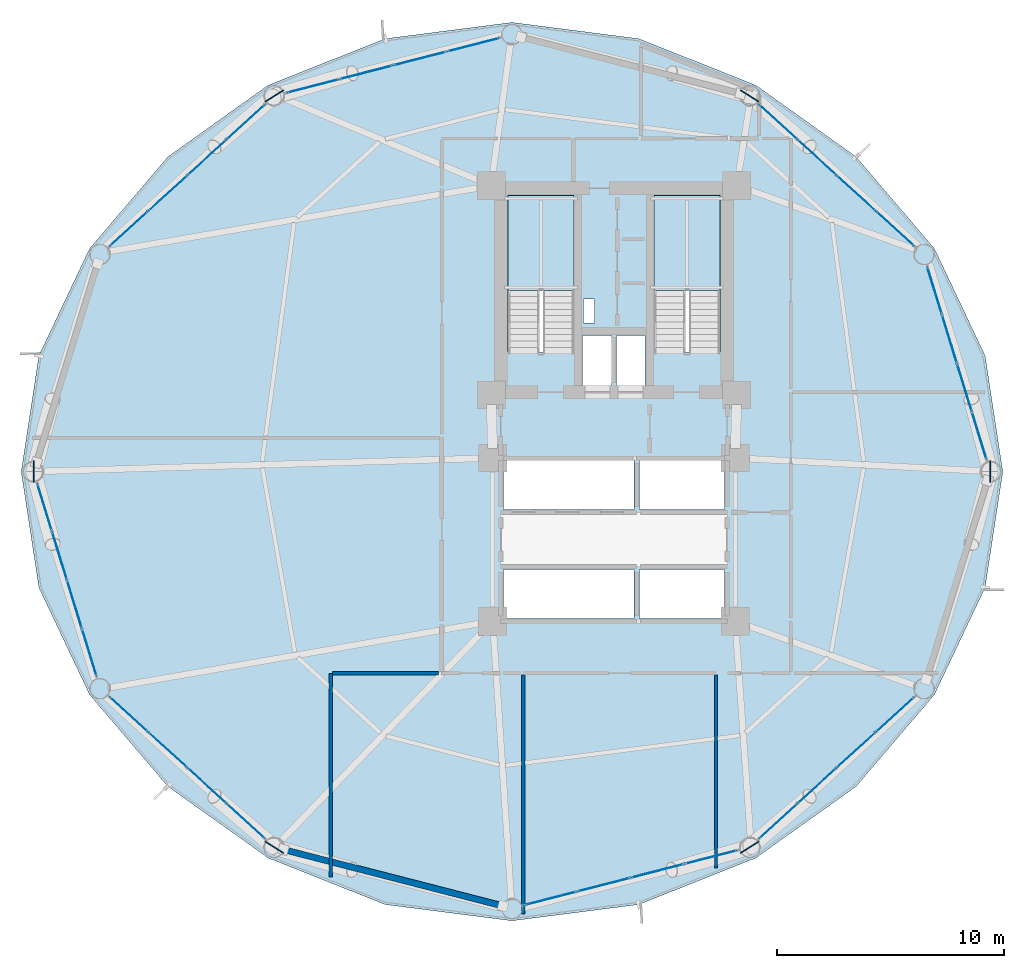
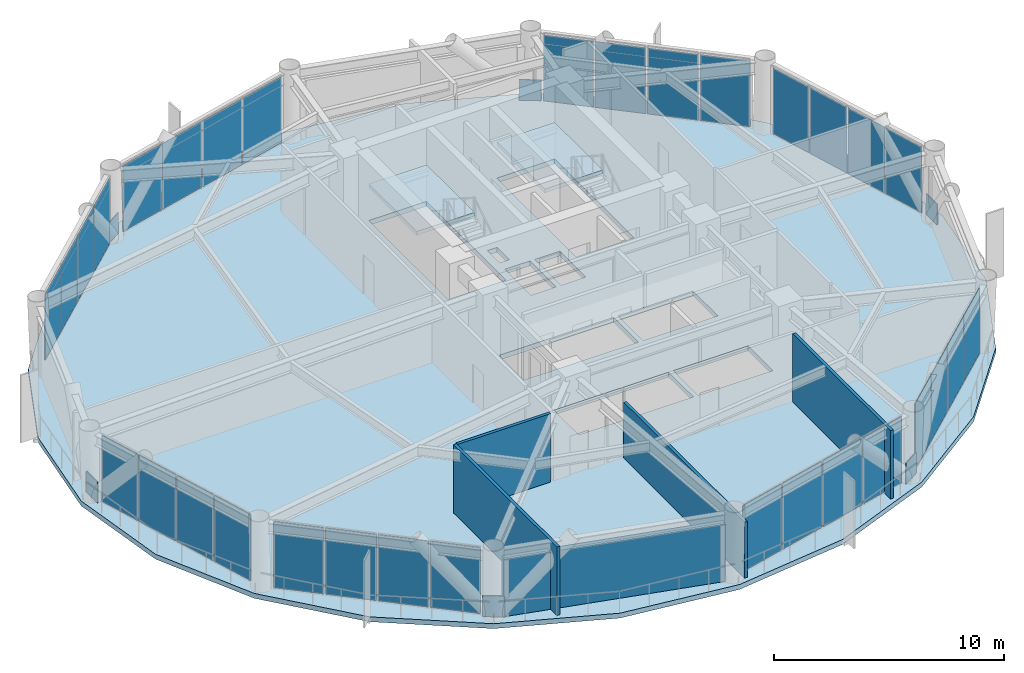
# One storey, part 20 of 26: 38 plates, 5 walls, 3 slabs, 10 elements without a shape of their own.
"""IFC4 building model written with IfcOpenShell, lengths in metres."""

from ifc_helpers import new_model, si_unit, direction, frame, frame_2d, origin, origin_2d, place, context, subcontext, project, spatial, polyline, rectangle, outline, extrude, source, transform, mapped, material, layer, layer_set, type_object, type_shapes, element, aggregate, save


model = new_model("IFC4")

# Units and contexts
model_context = context("Model", 3, precision=1e-05, world=origin(), true_north=direction((0.0, 1.0)))
body_context = subcontext(model_context, "Body", "Model", "MODEL_VIEW")
ifc_project = project(units=[si_unit("LENGTHUNIT", "METRE"), si_unit("AREAUNIT", "SQUARE_METRE"), si_unit("VOLUMEUNIT", "CUBIC_METRE"), si_unit("PLANEANGLEUNIT", "RADIAN"), si_unit("MASSUNIT", "GRAM", prefix="KILO")], contexts=[model_context])

# Site, building, storey
site_placement = place(None, origin())
site = spatial("IfcSite", under=ifc_project, at=site_placement, CompositionType="ELEMENT")
building_placement = place(site_placement, origin())
building = spatial("IfcBuilding", under=site, at=building_placement, Name="Varnakorn Sky Granary", CompositionType="ELEMENT")
storey_placement = place(building_placement, frame((0.0, 0.0, 51.0)))
storey = spatial("IfcBuildingStorey", under=building, at=storey_placement, Name="L12", CompositionType="ELEMENT", Elevation=51.0)

# Plates
ifc_material_1 = material(Name="Steel S460M", Category="steel")
ifc_layer_1 = layer(ifc_material_1, 0.044921875, Name="Steel S460M")
ifc_layer_set_1 = layer_set([ifc_layer_1], Name="Steel S460M")
plate_type_1 = type_object("IfcPlateType", Name="PL-NODE-KN1", PredefinedType="SHEET", material=ifc_layer_set_1)
for number, where, z_axis, x_axis, name in (
    (1, (19.60791015625, 0.0, 0.0), (0.0, 0.0, 1.0), (0.0, 1.0, 0.0), "Diagrid Node Gusset Assembly KN1 L12-1"),
    (2, (8.986572265625, 16.573974609375, 0.0), (0.0, 0.0, 1.0), (-0.845057914371, 0.534674780926, 0.0), "Diagrid Node Gusset Assembly KN1 L12-3"),
    (3, (-11.986572265625, 16.573974609375, 0.0), (0.0, 0.0, 1.0), (-0.845057914371, -0.534674780926, 0.0), "Diagrid Node Gusset Assembly KN1 L12-5"),
    (4, (-22.60791015625, 0.0, 0.0), (0.0, 0.0, 1.0), (0.0, -1.0, 0.0), "Diagrid Node Gusset Assembly KN1 L12-7"),
    (5, (-11.986572265625, -16.573974609375, 0.0), (0.0, 0.0, 1.0), (0.845057914371, -0.534674780926, 0.0), "Diagrid Node Gusset Assembly KN1 L12-9"),
    (6, (8.986572265625, -16.573974609375, 0.0), (0.0, 0.0, 1.0), (0.845057914371, 0.534674780926, 0.0), "Diagrid Node Gusset Assembly KN1 L12-11"),
):
    element("IfcPlate", number, at=place(storey_placement, frame(where, z_axis=z_axis, x_axis=x_axis)), inside=storey, type_object=plate_type_1, Name=name, PredefinedType="SHEET", context=body_context, shape_type="SweptSolid", body=[
        extrude(rectangle(XDim=0.9599609375, YDim=0.044921875, at=origin_2d()), origin(), (0.0, 0.0, 1.0), 1.10009765625),
    ])

# Stair, slab
ifc_material_2 = material(Name="Concrete C40/50", Category="concrete")
stair_type = type_object("IfcStairType", Name="ST-MAIN-ASSEMBLY", PredefinedType="HALF_TURN_STAIR", material=ifc_material_2)
stair_1_placement = place(storey_placement, origin())
stair_1 = element("IfcStair", 7, at=stair_1_placement, inside=storey, type_object=stair_type, Name="L12 Protected Exit Stair ST-1", PredefinedType="HALF_TURN_STAIR")
ifc_layer_2 = layer(ifc_material_2, 0.199951171875, Name="Concrete C40/50")
ifc_layer_set_2 = layer_set([ifc_layer_2], Name="Concrete C40/50")
slab_type_1 = type_object("IfcSlabType", Name="ST-MAIN-LAND", PredefinedType="LANDING", material=ifc_layer_set_2)
slab_1_placement = place(storey_placement, frame((0.0, 0.0, 1.75)))
slab_1 = element("IfcSlab", 8, at=slab_1_placement, type_object=slab_type_1, Name="ST-1 landing 1", PredefinedType="LANDING", context=body_context, shape_type="SweptSolid", body=[
    extrude(outline(polyline([(1.239990234375, 8.0), (1.239990234375, 12.179931640625), (-1.669921875, 12.179931640625), (-1.669921875, 8.0), (1.239990234375, 8.0)])), origin(), (0.0, 0.0, 1.0), 0.199951171875),
])
aggregate(stair_1, [slab_1])

stair_2_placement = place(storey_placement, origin())
stair_2 = element("IfcStair", 9, at=stair_2_placement, inside=storey, type_object=stair_type, Name="L12 Protected Exit Stair ST-2", PredefinedType="HALF_TURN_STAIR")
slab_2_placement = place(storey_placement, frame((0.0, 0.0, 1.75)))
slab_2 = element("IfcSlab", 10, at=slab_2_placement, type_object=slab_type_1, Name="ST-2 landing 1", PredefinedType="LANDING", context=body_context, shape_type="SweptSolid", body=[
    extrude(outline(polyline([(7.679931640625, 8.0), (7.679931640625, 12.179931640625), (4.77001953125, 12.179931640625), (4.77001953125, 8.0), (7.679931640625, 8.0)])), origin(), (0.0, 0.0, 1.0), 0.199951171875),
])
aggregate(stair_2, [slab_2])

# Slab
ifc_material_3 = material(Name="Concrete C50/60", Category="concrete")
ifc_layer_3 = layer(ifc_material_3, 0.260009765625, Name="Concrete C50/60")
ifc_layer_set_3 = layer_set([ifc_layer_3], Name="Concrete C50/60")
slab_type_2 = type_object("IfcSlabType", Name="ST-SL-TWR-260", PredefinedType="FLOOR", material=ifc_layer_set_3)
slab_3_placement = place(storey_placement, frame((0.0, 0.0, -0.260009765625)))
element("IfcSlab", 11, at=slab_3_placement, inside=storey, type_object=slab_type_2, Name="Level L12 Structural Floor Slab", PredefinedType="FLOOR", context=body_context, shape_type="SweptSolid", body=[
    extrude(outline(polyline([(20.157958984375, 0.0), (19.376708984375, 5.118896484375), (17.139404296875, 9.843994140625), (13.687255859375, 13.8896484375), (9.261474609375, 17.05029296875), (4.093994140625, 19.10400390625), (-1.5, 19.822998046875), (-7.093994140625, 19.10400390625), (-12.261474609375, 17.05029296875), (-16.687255859375, 13.8896484375), (-20.139404296875, 9.843994140625), (-22.376708984375, 5.118896484375), (-23.157958984375, 0.0), (-22.376708984375, -5.118896484375), (-20.139404296875, -9.843994140625), (-16.687255859375, -13.8896484375), (-12.261474609375, -17.05029296875), (-7.093994140625, -19.10400390625), (-1.5, -19.822998046875), (4.093994140625, -19.10400390625), (9.261474609375, -17.05029296875), (13.687255859375, -13.8896484375), (17.139404296875, -9.843994140625), (19.376708984375, -5.118896484375), (20.157958984375, 0.0)]), holes=[polyline([(1.239990234375, 5.27490234375), (1.239990234375, 12.179931640625), (-1.669921875, 12.179931640625), (-1.669921875, 5.27490234375), (1.239990234375, 5.27490234375)]), polyline([(7.679931640625, 5.27490234375), (7.679931640625, 12.179931640625), (4.77001953125, 12.179931640625), (4.77001953125, 5.27490234375), (7.679931640625, 5.27490234375)]), polyline([(1.659912109375, 6.550048828125), (2.14990234375, 6.550048828125), (2.14990234375, 7.6201171875), (1.659912109375, 7.6201171875), (1.659912109375, 6.550048828125)]), polyline([(1.6201171875, 3.739990234375), (2.8798828125, 3.739990234375), (2.8798828125, 6.010009765625), (1.6201171875, 6.010009765625), (1.6201171875, 3.739990234375)]), polyline([(3.1201171875, 3.739990234375), (4.3798828125, 3.739990234375), (4.3798828125, 6.010009765625), (3.1201171875, 6.010009765625), (3.1201171875, 3.739990234375)]), polyline([(-1.8798828125, -1.679931640625), (3.8798828125, -1.679931640625), (3.8798828125, 0.47998046875), (-1.8798828125, 0.47998046875), (-1.8798828125, -1.679931640625)]), polyline([(4.1201171875, -1.679931640625), (7.8798828125, -1.679931640625), (7.8798828125, 0.47998046875), (4.1201171875, 0.47998046875), (4.1201171875, -1.679931640625)]), polyline([(-1.8798828125, -6.47998046875), (3.8798828125, -6.47998046875), (3.8798828125, -4.320068359375), (-1.8798828125, -4.320068359375), (-1.8798828125, -6.47998046875)]), polyline([(4.1201171875, -6.47998046875), (7.8798828125, -6.47998046875), (7.8798828125, -4.320068359375), (4.1201171875, -4.320068359375), (4.1201171875, -6.47998046875)])]), origin(), (0.0, 0.0, 1.0), 0.260009765625),
])

# Curtain wall, plates
ifc_material_4 = material(Name="Anodised Bronze Aluminium Alloy 6063-T6", Category="aluminium")
ifc_layer_4 = layer(ifc_material_4, 0.18994140625, Name="Anodised Bronze Aluminium Alloy 6063-T6")
ifc_layer_set_4 = layer_set([ifc_layer_4], Name="Anodised Bronze Aluminium Alloy 6063-T6")
curtain_wall_type = type_object("IfcCurtainWallType", Name="CW-FRM-1", PredefinedType="USERDEFINED", material=ifc_layer_set_4)
curtain_wall_1_placement = place(storey_placement, origin())
curtain_wall_1 = element("IfcCurtainWall", 12, at=curtain_wall_1_placement, inside=storey, type_object=curtain_wall_type, Name="Unitised Curtain Wall CW3 CW-L12-B01", ObjectType="CURTAIN WALL", PredefinedType="USERDEFINED")
ifc_material_5 = material(Name="Low-E Tinted Laminated Glass", Category="glass")
ifc_layer_5 = layer(ifc_material_5, 0.028076171875, Name="Low-E Tinted Laminated Glass")
ifc_layer_set_5 = layer_set([ifc_layer_5], Name="Low-E Tinted Laminated Glass")
plate_type_2 = type_object("IfcPlateType", Name="CW-FRM-1-PNL", PredefinedType="CURTAIN_PANEL")
shared_shape_1 = source(origin(), body_context, "Body", "SweptSolid", [
    extrude(rectangle(XDim=2.139404296875, YDim=0.028076171875, at=origin_2d()), origin(), (0.0, 0.0, 1.0), 3.5),
])
plate_1_placement = place(storey_placement, frame((17.150634765625, 7.985595703125, 0.070068359375), z_axis=(0.0, 0.0, 1.0), x_axis=(0.294121852906, -0.955767929805, 0.0)))
plate_1 = element("IfcPlate", 13, at=plate_1_placement, type_object=plate_type_2, material=ifc_layer_set_5, Name="CW3 vision glazing unit 1.1", PredefinedType="CURTAIN_PANEL", context=body_context, shape_type="MappedRepresentation", body=[
    mapped(shared_shape_1, transform((0.0, 0.0, 0.0), x_axis=(1.0, 0.0, 0.0), y_axis=(0.0, 1.0, 0.0), z_axis=(0.0, 0.0, 1.0), scale=1.0)),
])
ifc_material_6 = material(Name="Opaque Insulated Aluminium Shadow-Box Unit", Category="aluminium")
ifc_layer_6 = layer(ifc_material_6, 0.028076171875, Name="Opaque Insulated Aluminium Shadow-Box Unit")
ifc_layer_set_6 = layer_set([ifc_layer_6], Name="Opaque Insulated Aluminium Shadow-Box Unit")
plate_2_placement = place(storey_placement, frame((19.12060546875, 1.58349609375, 0.070068359375), z_axis=(0.0, 0.0, 1.0), x_axis=(0.294121852906, -0.955767929805, 0.0)))
plate_2 = element("IfcPlate", 14, at=plate_2_placement, type_object=plate_type_2, material=ifc_layer_set_6, Name="CW3 opaque insulated shadow-box unit 4.1", PredefinedType="CURTAIN_PANEL", context=body_context, shape_type="MappedRepresentation", body=[
    mapped(shared_shape_1, transform((0.0, 0.0, 0.0), x_axis=(1.0, 0.0, 0.0), y_axis=(0.0, 1.0, 0.0), z_axis=(0.0, 0.0, 1.0), scale=1.0)),
])

curtain_wall_2_placement = place(storey_placement, origin())
curtain_wall_2 = element("IfcCurtainWall", 15, at=curtain_wall_2_placement, inside=storey, type_object=curtain_wall_type, Name="Unitised Curtain Wall CW3 CW-L12-B07", ObjectType="CURTAIN WALL", PredefinedType="USERDEFINED")
plate_3_placement = place(storey_placement, frame((-20.150634765625, -7.985595703125, 0.070068359375), z_axis=(0.0, 0.0, 1.0), x_axis=(-0.294121852906, 0.955767929805, 0.0)))
plate_3 = element("IfcPlate", 16, at=plate_3_placement, type_object=plate_type_2, material=ifc_layer_set_5, Name="CW3 vision glazing unit 1.1", PredefinedType="CURTAIN_PANEL", context=body_context, shape_type="MappedRepresentation", body=[
    mapped(shared_shape_1, transform((0.0, 0.0, 0.0), x_axis=(1.0, 0.0, 0.0), y_axis=(0.0, 1.0, 0.0), z_axis=(0.0, 0.0, 1.0), scale=1.0)),
])
plate_4_placement = place(storey_placement, frame((-22.12060546875, -1.58349609375, 0.070068359375), z_axis=(0.0, 0.0, 1.0), x_axis=(-0.294121852906, 0.955767929805, 0.0)))
plate_4 = element("IfcPlate", 17, at=plate_4_placement, type_object=plate_type_2, material=ifc_layer_set_6, Name="CW3 opaque insulated shadow-box unit 4.1", PredefinedType="CURTAIN_PANEL", context=body_context, shape_type="MappedRepresentation", body=[
    mapped(shared_shape_1, transform((0.0, 0.0, 0.0), x_axis=(1.0, 0.0, 0.0), y_axis=(0.0, 1.0, 0.0), z_axis=(0.0, 0.0, 1.0), scale=1.0)),
])

# Plate
shared_shape_2 = source(origin(), body_context, "Body", "SweptSolid", [
    extrude(rectangle(XDim=2.174560546875, YDim=0.028076171875, at=origin_2d()), origin(), (0.0, 0.0, 1.0), 3.5),
])
plate_5_placement = place(storey_placement, frame((17.805419921875, 5.857177734375, 0.070068359375), z_axis=(0.0, 0.0, 1.0), x_axis=(0.294121852906, -0.955767929805, 0.0)))
plate_5 = element("IfcPlate", 18, at=plate_5_placement, type_object=plate_type_2, material=ifc_layer_set_5, Name="CW3 vision glazing unit 2.1", PredefinedType="CURTAIN_PANEL", context=body_context, shape_type="MappedRepresentation", body=[
    mapped(shared_shape_2, transform((0.0, 0.0, 0.0), x_axis=(1.0, 0.0, 0.0), y_axis=(0.0, 1.0, 0.0), z_axis=(0.0, 0.0, 1.0), scale=1.0)),
])

plate_6_placement = place(storey_placement, frame((18.465576171875, 3.7119140625, 0.070068359375), z_axis=(0.0, 0.0, 1.0), x_axis=(0.294121852906, -0.955767929805, 0.0)))
plate_6 = element("IfcPlate", 19, at=plate_6_placement, type_object=plate_type_2, material=ifc_layer_set_6, Name="CW3 opaque insulated shadow-box unit 3.1", PredefinedType="CURTAIN_PANEL", context=body_context, shape_type="MappedRepresentation", body=[
    mapped(shared_shape_2, transform((0.0, 0.0, 0.0), x_axis=(1.0, 0.0, 0.0), y_axis=(0.0, 1.0, 0.0), z_axis=(0.0, 0.0, 1.0), scale=1.0)),
])

aggregate(curtain_wall_1, [plate_1, plate_5, plate_6, plate_2])

plate_7_placement = place(storey_placement, frame((-20.805419921875, -5.857177734375, 0.070068359375), z_axis=(0.0, 0.0, 1.0), x_axis=(-0.294121852906, 0.955767929805, 0.0)))
plate_7 = element("IfcPlate", 20, at=plate_7_placement, type_object=plate_type_2, material=ifc_layer_set_5, Name="CW3 vision glazing unit 2.1", PredefinedType="CURTAIN_PANEL", context=body_context, shape_type="MappedRepresentation", body=[
    mapped(shared_shape_2, transform((0.0, 0.0, 0.0), x_axis=(1.0, 0.0, 0.0), y_axis=(0.0, 1.0, 0.0), z_axis=(0.0, 0.0, 1.0), scale=1.0)),
])

plate_8_placement = place(storey_placement, frame((-21.465576171875, -3.7119140625, 0.070068359375), z_axis=(0.0, 0.0, 1.0), x_axis=(-0.294121852906, 0.955767929805, 0.0)))
plate_8 = element("IfcPlate", 21, at=plate_8_placement, type_object=plate_type_2, material=ifc_layer_set_6, Name="CW3 opaque insulated shadow-box unit 3.1", PredefinedType="CURTAIN_PANEL", context=body_context, shape_type="MappedRepresentation", body=[
    mapped(shared_shape_2, transform((0.0, 0.0, 0.0), x_axis=(1.0, 0.0, 0.0), y_axis=(0.0, 1.0, 0.0), z_axis=(0.0, 0.0, 1.0), scale=1.0)),
])

aggregate(curtain_wall_2, [plate_3, plate_7, plate_8, plate_4])

# Curtain wall, plates
curtain_wall_3_placement = place(storey_placement, origin())
curtain_wall_3 = element("IfcCurtainWall", 22, at=curtain_wall_3_placement, inside=storey, type_object=curtain_wall_type, Name="Unitised Curtain Wall CW3 CW-L12-B02", ObjectType="CURTAIN WALL", PredefinedType="USERDEFINED")
shared_shape_3 = source(origin(), body_context, "Body", "SweptSolid", [
    extrude(rectangle(XDim=2.234619140625, YDim=0.028076171875, at=origin_2d()), origin(), (0.0, 0.0, 1.0), 3.5),
])
plate_9_placement = place(storey_placement, frame((10.245361328125, 15.42529296875, 0.070068359375), z_axis=(0.0, 0.0, 1.0), x_axis=(0.73868649404, -0.674049155123, 0.0)))
plate_9 = element("IfcPlate", 23, at=plate_9_placement, type_object=plate_type_2, material=ifc_layer_set_6, Name="CW3 opaque insulated shadow-box unit 1.1", PredefinedType="CURTAIN_PANEL", context=body_context, shape_type="MappedRepresentation", body=[
    mapped(shared_shape_3, transform((0.0, 0.0, 0.0), x_axis=(1.0, 0.0, 0.0), y_axis=(0.0, 1.0, 0.0), z_axis=(0.0, 0.0, 1.0), scale=1.0)),
])
plate_10_placement = place(storey_placement, frame((15.404296875, 10.7177734375, 0.070068359375), z_axis=(0.0, 0.0, 1.0), x_axis=(0.73868649404, -0.674049155123, 0.0)))
plate_10 = element("IfcPlate", 24, at=plate_10_placement, type_object=plate_type_2, material=ifc_layer_set_5, Name="CW3 vision glazing unit 4.1", PredefinedType="CURTAIN_PANEL", context=body_context, shape_type="MappedRepresentation", body=[
    mapped(shared_shape_3, transform((0.0, 0.0, 0.0), x_axis=(1.0, 0.0, 0.0), y_axis=(0.0, 1.0, 0.0), z_axis=(0.0, 0.0, 1.0), scale=1.0)),
])

curtain_wall_4_placement = place(storey_placement, origin())
curtain_wall_4 = element("IfcCurtainWall", 25, at=curtain_wall_4_placement, inside=storey, type_object=curtain_wall_type, Name="Unitised Curtain Wall CW3 CW-L12-B05", ObjectType="CURTAIN WALL", PredefinedType="USERDEFINED")
plate_11_placement = place(storey_placement, frame((-18.404296875, 10.7177734375, 0.070068359375), z_axis=(0.0, 0.0, 1.0), x_axis=(0.73868649404, 0.674049155123, 0.0)))
plate_11 = element("IfcPlate", 26, at=plate_11_placement, type_object=plate_type_2, material=ifc_layer_set_5, Name="CW3 vision glazing unit 1.1", PredefinedType="CURTAIN_PANEL", context=body_context, shape_type="MappedRepresentation", body=[
    mapped(shared_shape_3, transform((0.0, 0.0, 0.0), x_axis=(1.0, 0.0, 0.0), y_axis=(0.0, 1.0, 0.0), z_axis=(0.0, 0.0, 1.0), scale=1.0)),
])
plate_12_placement = place(storey_placement, frame((-13.245361328125, 15.42529296875, 0.070068359375), z_axis=(0.0, 0.0, 1.0), x_axis=(0.73868649404, 0.674049155123, 0.0)))
plate_12 = element("IfcPlate", 27, at=plate_12_placement, type_object=plate_type_2, material=ifc_layer_set_6, Name="CW3 opaque insulated shadow-box unit 4.1", PredefinedType="CURTAIN_PANEL", context=body_context, shape_type="MappedRepresentation", body=[
    mapped(shared_shape_3, transform((0.0, 0.0, 0.0), x_axis=(1.0, 0.0, 0.0), y_axis=(0.0, 1.0, 0.0), z_axis=(0.0, 0.0, 1.0), scale=1.0)),
])

curtain_wall_5_placement = place(storey_placement, origin())
curtain_wall_5 = element("IfcCurtainWall", 28, at=curtain_wall_5_placement, inside=storey, type_object=curtain_wall_type, Name="Unitised Curtain Wall CW3 CW-L12-B08", ObjectType="CURTAIN WALL", PredefinedType="USERDEFINED")
plate_13_placement = place(storey_placement, frame((-13.245361328125, -15.42529296875, 0.070068359375), z_axis=(0.0, 0.0, 1.0), x_axis=(-0.73868649404, 0.674049155123, 0.0)))
plate_13 = element("IfcPlate", 29, at=plate_13_placement, type_object=plate_type_2, material=ifc_layer_set_6, Name="CW3 opaque insulated shadow-box unit 1.1", PredefinedType="CURTAIN_PANEL", context=body_context, shape_type="MappedRepresentation", body=[
    mapped(shared_shape_3, transform((0.0, 0.0, 0.0), x_axis=(1.0, 0.0, 0.0), y_axis=(0.0, 1.0, 0.0), z_axis=(0.0, 0.0, 1.0), scale=1.0)),
])
plate_14_placement = place(storey_placement, frame((-18.404296875, -10.7177734375, 0.070068359375), z_axis=(0.0, 0.0, 1.0), x_axis=(-0.73868649404, 0.674049155123, 0.0)))
plate_14 = element("IfcPlate", 30, at=plate_14_placement, type_object=plate_type_2, material=ifc_layer_set_5, Name="CW3 vision glazing unit 4.1", PredefinedType="CURTAIN_PANEL", context=body_context, shape_type="MappedRepresentation", body=[
    mapped(shared_shape_3, transform((0.0, 0.0, 0.0), x_axis=(1.0, 0.0, 0.0), y_axis=(0.0, 1.0, 0.0), z_axis=(0.0, 0.0, 1.0), scale=1.0)),
])

curtain_wall_6_placement = place(storey_placement, origin())
curtain_wall_6 = element("IfcCurtainWall", 31, at=curtain_wall_6_placement, inside=storey, type_object=curtain_wall_type, Name="Unitised Curtain Wall CW3 CW-L12-B11", ObjectType="CURTAIN WALL", PredefinedType="USERDEFINED")
plate_15_placement = place(storey_placement, frame((15.404296875, -10.7177734375, 0.070068359375), z_axis=(0.0, 0.0, 1.0), x_axis=(-0.73868649404, -0.674049155123, 0.0)))
plate_15 = element("IfcPlate", 32, at=plate_15_placement, type_object=plate_type_2, material=ifc_layer_set_5, Name="CW3 vision glazing unit 1.1", PredefinedType="CURTAIN_PANEL", context=body_context, shape_type="MappedRepresentation", body=[
    mapped(shared_shape_3, transform((0.0, 0.0, 0.0), x_axis=(1.0, 0.0, 0.0), y_axis=(0.0, 1.0, 0.0), z_axis=(0.0, 0.0, 1.0), scale=1.0)),
])
plate_16_placement = place(storey_placement, frame((10.245361328125, -15.42529296875, 0.070068359375), z_axis=(0.0, 0.0, 1.0), x_axis=(-0.73868649404, -0.674049155123, 0.0)))
plate_16 = element("IfcPlate", 33, at=plate_16_placement, type_object=plate_type_2, material=ifc_layer_set_6, Name="CW3 opaque insulated shadow-box unit 4.1", PredefinedType="CURTAIN_PANEL", context=body_context, shape_type="MappedRepresentation", body=[
    mapped(shared_shape_3, transform((0.0, 0.0, 0.0), x_axis=(1.0, 0.0, 0.0), y_axis=(0.0, 1.0, 0.0), z_axis=(0.0, 0.0, 1.0), scale=1.0)),
])

# Plate
shared_shape_4 = source(origin(), body_context, "Body", "SweptSolid", [
    extrude(rectangle(XDim=2.26953125, YDim=0.028076171875, at=origin_2d()), origin(), (0.0, 0.0, 1.0), 3.5),
])
plate_17_placement = place(storey_placement, frame((11.960693359375, 13.860107421875, 0.070068359375), z_axis=(0.0, 0.0, 1.0), x_axis=(0.73868649404, -0.674049155123, 0.0)))
plate_17 = element("IfcPlate", 34, at=plate_17_placement, type_object=plate_type_2, material=ifc_layer_set_6, Name="CW3 opaque insulated shadow-box unit 2.1", PredefinedType="CURTAIN_PANEL", context=body_context, shape_type="MappedRepresentation", body=[
    mapped(shared_shape_4, transform((0.0, 0.0, 0.0), x_axis=(1.0, 0.0, 0.0), y_axis=(0.0, 1.0, 0.0), z_axis=(0.0, 0.0, 1.0), scale=1.0)),
])

plate_18_placement = place(storey_placement, frame((13.68896484375, 12.282958984375, 0.070068359375), z_axis=(0.0, 0.0, 1.0), x_axis=(0.73868649404, -0.674049155123, 0.0)))
plate_18 = element("IfcPlate", 35, at=plate_18_placement, type_object=plate_type_2, material=ifc_layer_set_5, Name="CW3 vision glazing unit 3.1", PredefinedType="CURTAIN_PANEL", context=body_context, shape_type="MappedRepresentation", body=[
    mapped(shared_shape_4, transform((0.0, 0.0, 0.0), x_axis=(1.0, 0.0, 0.0), y_axis=(0.0, 1.0, 0.0), z_axis=(0.0, 0.0, 1.0), scale=1.0)),
])

aggregate(curtain_wall_3, [plate_9, plate_17, plate_18, plate_10])

plate_19_placement = place(storey_placement, frame((-16.68896484375, 12.282958984375, 0.070068359375), z_axis=(0.0, 0.0, 1.0), x_axis=(0.73868649404, 0.674049155123, 0.0)))
plate_19 = element("IfcPlate", 36, at=plate_19_placement, type_object=plate_type_2, material=ifc_layer_set_5, Name="CW3 vision glazing unit 2.1", PredefinedType="CURTAIN_PANEL", context=body_context, shape_type="MappedRepresentation", body=[
    mapped(shared_shape_4, transform((0.0, 0.0, 0.0), x_axis=(1.0, 0.0, 0.0), y_axis=(0.0, 1.0, 0.0), z_axis=(0.0, 0.0, 1.0), scale=1.0)),
])

plate_20_placement = place(storey_placement, frame((-14.960693359375, 13.860107421875, 0.070068359375), z_axis=(0.0, 0.0, 1.0), x_axis=(0.73868649404, 0.674049155123, 0.0)))
plate_20 = element("IfcPlate", 37, at=plate_20_placement, type_object=plate_type_2, material=ifc_layer_set_6, Name="CW3 opaque insulated shadow-box unit 3.1", PredefinedType="CURTAIN_PANEL", context=body_context, shape_type="MappedRepresentation", body=[
    mapped(shared_shape_4, transform((0.0, 0.0, 0.0), x_axis=(1.0, 0.0, 0.0), y_axis=(0.0, 1.0, 0.0), z_axis=(0.0, 0.0, 1.0), scale=1.0)),
])

aggregate(curtain_wall_4, [plate_11, plate_19, plate_20, plate_12])

plate_21_placement = place(storey_placement, frame((-14.960693359375, -13.860107421875, 0.070068359375), z_axis=(0.0, 0.0, 1.0), x_axis=(-0.73868649404, 0.674049155123, 0.0)))
plate_21 = element("IfcPlate", 38, at=plate_21_placement, type_object=plate_type_2, material=ifc_layer_set_6, Name="CW3 opaque insulated shadow-box unit 2.1", PredefinedType="CURTAIN_PANEL", context=body_context, shape_type="MappedRepresentation", body=[
    mapped(shared_shape_4, transform((0.0, 0.0, 0.0), x_axis=(1.0, 0.0, 0.0), y_axis=(0.0, 1.0, 0.0), z_axis=(0.0, 0.0, 1.0), scale=1.0)),
])

plate_22_placement = place(storey_placement, frame((-16.68896484375, -12.282958984375, 0.070068359375), z_axis=(0.0, 0.0, 1.0), x_axis=(-0.73868649404, 0.674049155123, 0.0)))
plate_22 = element("IfcPlate", 39, at=plate_22_placement, type_object=plate_type_2, material=ifc_layer_set_5, Name="CW3 vision glazing unit 3.1", PredefinedType="CURTAIN_PANEL", context=body_context, shape_type="MappedRepresentation", body=[
    mapped(shared_shape_4, transform((0.0, 0.0, 0.0), x_axis=(1.0, 0.0, 0.0), y_axis=(0.0, 1.0, 0.0), z_axis=(0.0, 0.0, 1.0), scale=1.0)),
])

aggregate(curtain_wall_5, [plate_13, plate_21, plate_22, plate_14])

plate_23_placement = place(storey_placement, frame((13.68896484375, -12.282958984375, 0.070068359375), z_axis=(0.0, 0.0, 1.0), x_axis=(-0.73868649404, -0.674049155123, 0.0)))
plate_23 = element("IfcPlate", 40, at=plate_23_placement, type_object=plate_type_2, material=ifc_layer_set_5, Name="CW3 vision glazing unit 2.1", PredefinedType="CURTAIN_PANEL", context=body_context, shape_type="MappedRepresentation", body=[
    mapped(shared_shape_4, transform((0.0, 0.0, 0.0), x_axis=(1.0, 0.0, 0.0), y_axis=(0.0, 1.0, 0.0), z_axis=(0.0, 0.0, 1.0), scale=1.0)),
])

plate_24_placement = place(storey_placement, frame((11.960693359375, -13.860107421875, 0.070068359375), z_axis=(0.0, 0.0, 1.0), x_axis=(-0.73868649404, -0.674049155123, 0.0)))
plate_24 = element("IfcPlate", 41, at=plate_24_placement, type_object=plate_type_2, material=ifc_layer_set_6, Name="CW3 opaque insulated shadow-box unit 3.1", PredefinedType="CURTAIN_PANEL", context=body_context, shape_type="MappedRepresentation", body=[
    mapped(shared_shape_4, transform((0.0, 0.0, 0.0), x_axis=(1.0, 0.0, 0.0), y_axis=(0.0, 1.0, 0.0), z_axis=(0.0, 0.0, 1.0), scale=1.0)),
])

aggregate(curtain_wall_6, [plate_15, plate_23, plate_24, plate_16])

# Curtain wall, plates
curtain_wall_7_placement = place(storey_placement, origin())
curtain_wall_7 = element("IfcCurtainWall", 42, at=curtain_wall_7_placement, inside=storey, type_object=curtain_wall_type, Name="Unitised Curtain Wall CW3 CW-L12-B04", ObjectType="CURTAIN WALL", PredefinedType="USERDEFINED")
shared_shape_5 = source(origin(), body_context, "Body", "SweptSolid", [
    extrude(rectangle(XDim=2.343505859375, YDim=0.028076171875, at=origin_2d()), origin(), (0.0, 0.0, 1.0), 3.5),
])
plate_25_placement = place(storey_placement, frame((-10.283203125, 17.012451171875, 0.070068359375), z_axis=(0.0, 0.0, 1.0), x_axis=(0.968439365755, 0.2492492625, 0.0)))
plate_25 = element("IfcPlate", 43, at=plate_25_placement, type_object=plate_type_2, material=ifc_layer_set_6, Name="CW3 opaque insulated shadow-box unit 1.1", PredefinedType="CURTAIN_PANEL", context=body_context, shape_type="MappedRepresentation", body=[
    mapped(shared_shape_5, transform((0.0, 0.0, 0.0), x_axis=(1.0, 0.0, 0.0), y_axis=(0.0, 1.0, 0.0), z_axis=(0.0, 0.0, 1.0), scale=1.0)),
])
plate_26_placement = place(storey_placement, frame((-3.203369140625, 18.83447265625, 0.070068359375), z_axis=(0.0, 0.0, 1.0), x_axis=(0.968439365755, 0.2492492625, 0.0)))
plate_26 = element("IfcPlate", 44, at=plate_26_placement, type_object=plate_type_2, material=ifc_layer_set_5, Name="CW3 vision glazing unit 4.1", PredefinedType="CURTAIN_PANEL", context=body_context, shape_type="MappedRepresentation", body=[
    mapped(shared_shape_5, transform((0.0, 0.0, 0.0), x_axis=(1.0, 0.0, 0.0), y_axis=(0.0, 1.0, 0.0), z_axis=(0.0, 0.0, 1.0), scale=1.0)),
])

curtain_wall_8_placement = place(storey_placement, origin())
curtain_wall_8 = element("IfcCurtainWall", 45, at=curtain_wall_8_placement, inside=storey, type_object=curtain_wall_type, Name="Unitised Curtain Wall CW3 CW-L12-B10", ObjectType="CURTAIN WALL", PredefinedType="USERDEFINED")
plate_27_placement = place(storey_placement, frame((7.283203125, -17.012451171875, 0.070068359375), z_axis=(0.0, 0.0, 1.0), x_axis=(-0.968439365755, -0.2492492625, 0.0)))
plate_27 = element("IfcPlate", 46, at=plate_27_placement, type_object=plate_type_2, material=ifc_layer_set_6, Name="CW3 opaque insulated shadow-box unit 1.1", PredefinedType="CURTAIN_PANEL", context=body_context, shape_type="MappedRepresentation", body=[
    mapped(shared_shape_5, transform((0.0, 0.0, 0.0), x_axis=(1.0, 0.0, 0.0), y_axis=(0.0, 1.0, 0.0), z_axis=(0.0, 0.0, 1.0), scale=1.0)),
])
plate_28_placement = place(storey_placement, frame((0.203369140625, -18.83447265625, 0.070068359375), z_axis=(0.0, 0.0, 1.0), x_axis=(-0.968439365755, -0.2492492625, 0.0)))
plate_28 = element("IfcPlate", 47, at=plate_28_placement, type_object=plate_type_2, material=ifc_layer_set_5, Name="CW3 vision glazing unit 4.1", PredefinedType="CURTAIN_PANEL", context=body_context, shape_type="MappedRepresentation", body=[
    mapped(shared_shape_5, transform((0.0, 0.0, 0.0), x_axis=(1.0, 0.0, 0.0), y_axis=(0.0, 1.0, 0.0), z_axis=(0.0, 0.0, 1.0), scale=1.0)),
])

# Plate
shared_shape_6 = source(origin(), body_context, "Body", "SweptSolid", [
    extrude(rectangle(XDim=2.378662109375, YDim=0.028076171875, at=origin_2d()), origin(), (0.0, 0.0, 1.0), 3.5),
])
type_shapes(plate_type_2, [shared_shape_1, shared_shape_2, shared_shape_3, shared_shape_4, shared_shape_5, shared_shape_6])
plate_29_placement = place(storey_placement, frame((-7.928955078125, 17.618408203125, 0.070068359375), z_axis=(0.0, 0.0, 1.0), x_axis=(0.968439365755, 0.2492492625, 0.0)))
plate_29 = element("IfcPlate", 48, at=plate_29_placement, type_object=plate_type_2, material=ifc_layer_set_6, Name="CW3 opaque insulated shadow-box unit 2.1", PredefinedType="CURTAIN_PANEL", context=body_context, shape_type="MappedRepresentation", body=[
    mapped(shared_shape_6, transform((0.0, 0.0, 0.0), x_axis=(1.0, 0.0, 0.0), y_axis=(0.0, 1.0, 0.0), z_axis=(0.0, 0.0, 1.0), scale=1.0)),
])

plate_30_placement = place(storey_placement, frame((-5.5576171875, 18.228759765625, 0.070068359375), z_axis=(0.0, 0.0, 1.0), x_axis=(0.968439365755, 0.2492492625, 0.0)))
plate_30 = element("IfcPlate", 49, at=plate_30_placement, type_object=plate_type_2, material=ifc_layer_set_5, Name="CW3 vision glazing unit 3.1", PredefinedType="CURTAIN_PANEL", context=body_context, shape_type="MappedRepresentation", body=[
    mapped(shared_shape_6, transform((0.0, 0.0, 0.0), x_axis=(1.0, 0.0, 0.0), y_axis=(0.0, 1.0, 0.0), z_axis=(0.0, 0.0, 1.0), scale=1.0)),
])

aggregate(curtain_wall_7, [plate_25, plate_29, plate_30, plate_26])

plate_31_placement = place(storey_placement, frame((4.928955078125, -17.618408203125, 0.070068359375), z_axis=(0.0, 0.0, 1.0), x_axis=(-0.968439365755, -0.2492492625, 0.0)))
plate_31 = element("IfcPlate", 50, at=plate_31_placement, type_object=plate_type_2, material=ifc_layer_set_6, Name="CW3 opaque insulated shadow-box unit 2.1", PredefinedType="CURTAIN_PANEL", context=body_context, shape_type="MappedRepresentation", body=[
    mapped(shared_shape_6, transform((0.0, 0.0, 0.0), x_axis=(1.0, 0.0, 0.0), y_axis=(0.0, 1.0, 0.0), z_axis=(0.0, 0.0, 1.0), scale=1.0)),
])

plate_32_placement = place(storey_placement, frame((2.5576171875, -18.228759765625, 0.070068359375), z_axis=(0.0, 0.0, 1.0), x_axis=(-0.968439365755, -0.2492492625, 0.0)))
plate_32 = element("IfcPlate", 51, at=plate_32_placement, type_object=plate_type_2, material=ifc_layer_set_5, Name="CW3 vision glazing unit 3.1", PredefinedType="CURTAIN_PANEL", context=body_context, shape_type="MappedRepresentation", body=[
    mapped(shared_shape_6, transform((0.0, 0.0, 0.0), x_axis=(1.0, 0.0, 0.0), y_axis=(0.0, 1.0, 0.0), z_axis=(0.0, 0.0, 1.0), scale=1.0)),
])

aggregate(curtain_wall_8, [plate_27, plate_31, plate_32, plate_28])

# Walls
ifc_material_7 = material(Name="Precast concrete C40/50", Category="concrete")
ifc_layer_7 = layer(ifc_material_7, 0.280029296875, Name="Precast concrete C40/50")
ifc_layer_set_7 = layer_set([ifc_layer_7], Name="Precast concrete C40/50")
wall_type_1 = type_object("IfcWallType", Name="WT-EW-CRN-280", PredefinedType="SOLIDWALL", material=ifc_layer_set_7)
wall_1_placement = place(storey_placement, frame((-1.89892578125, -19.17041015625, 0.0), z_axis=(0.0, 0.0, 1.0), x_axis=(-0.968436738327, 0.249259470952, 0.0)))
element("IfcWall", 52, at=wall_1_placement, inside=storey, type_object=wall_type_1, Name="Agritech Insulated Precast Facade Wall L12-P09", PredefinedType="SOLIDWALL", context=body_context, shape_type="SweptSolid", body=[
    extrude(rectangle(XDim=10.004150390625, YDim=0.280029296875, at=frame_2d((5.001953125, 0.0))), origin(), (0.0, 0.0, 1.0), 3.06005859375),
])
ifc_material_8 = material(Name="Gypsum Plasterboard on Steel Stud", Category="steel")
ifc_layer_8 = layer(ifc_material_8, 0.14990234375, Name="Gypsum Plasterboard on Steel Stud")
ifc_layer_set_8 = layer_set([ifc_layer_8], Name="Gypsum Plasterboard on Steel Stud")
wall_type_2 = type_object("IfcWallType", Name="WT-PART-150", PredefinedType="PARTITIONING", material=ifc_layer_set_8)
wall_2_placement = place(storey_placement, frame((-1.0, -8.985107421875, 0.0), z_axis=(0.0, 0.0, 1.0), x_axis=(0.0, -1.0, 0.0)))
element("IfcWall", 53, at=wall_2_placement, inside=storey, type_object=wall_type_2, Name="Interior Partition Wall L12-036", PredefinedType="PARTITIONING", context=body_context, shape_type="SweptSolid", body=[
    extrude(rectangle(XDim=10.533935546875, YDim=0.14990234375, at=frame_2d((5.26708984375, 0.0))), origin(), (0.0, 0.0, 1.0), 2.971923828125),
])
wall_3_placement = place(storey_placement, frame((-9.5, -17.89208984375, 0.0), z_axis=(0.0, 0.0, 1.0), x_axis=(0.0, 1.0, 0.0)))
element("IfcWall", 54, at=wall_3_placement, inside=storey, type_object=wall_type_2, Name="Interior Partition Wall L12-037", PredefinedType="PARTITIONING", context=body_context, shape_type="SweptSolid", body=[
    extrude(rectangle(XDim=8.9921875, YDim=0.14990234375, at=frame_2d((4.49609375, 0.0))), origin(), (0.0, 0.0, 1.0), 3.639892578125),
])
wall_4_placement = place(storey_placement, frame((-9.4150390625, -8.89990234375, 0.0), z_axis=(0.0, 0.0, 1.0), x_axis=(1.0, 0.0, 0.0)))
element("IfcWall", 55, at=wall_4_placement, inside=storey, type_object=wall_type_2, Name="Interior Partition Wall L12-038", PredefinedType="PARTITIONING", context=body_context, shape_type="SweptSolid", body=[
    extrude(rectangle(XDim=4.679931640625, YDim=0.14990234375, at=frame_2d((2.33984375, 0.0))), origin(), (0.0, 0.0, 1.0), 3.639892578125),
])
wall_5_placement = place(storey_placement, frame((7.5, -8.985107421875, 0.0), z_axis=(0.0, 0.0, 1.0), x_axis=(0.0, -1.0, 0.0)))
element("IfcWall", 56, at=wall_5_placement, inside=storey, type_object=wall_type_2, Name="Interior Partition Wall L12-039", PredefinedType="PARTITIONING", context=body_context, shape_type="SweptSolid", body=[
    extrude(rectangle(XDim=8.510009765625, YDim=0.14990234375, at=frame_2d((4.2548828125, 0.0))), origin(), (0.0, 0.0, 1.0), 3.639892578125),
])

save(model, "model.ifc")
